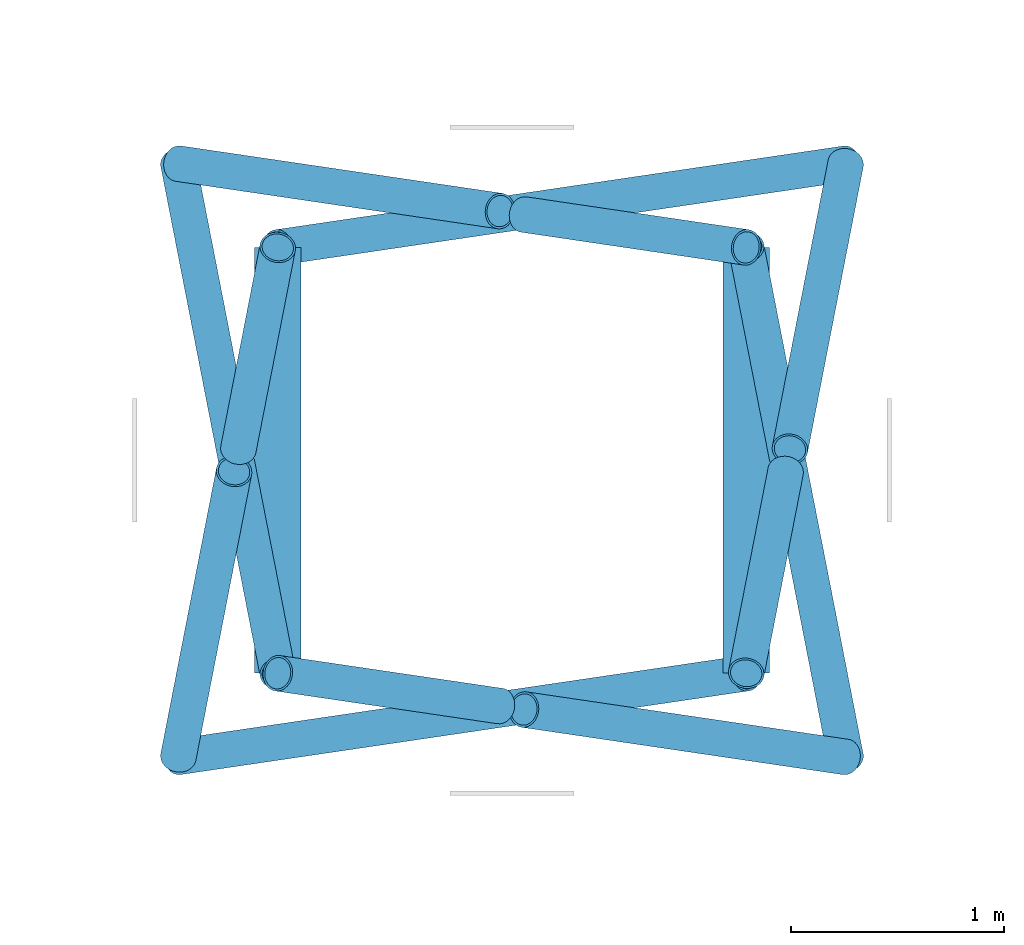
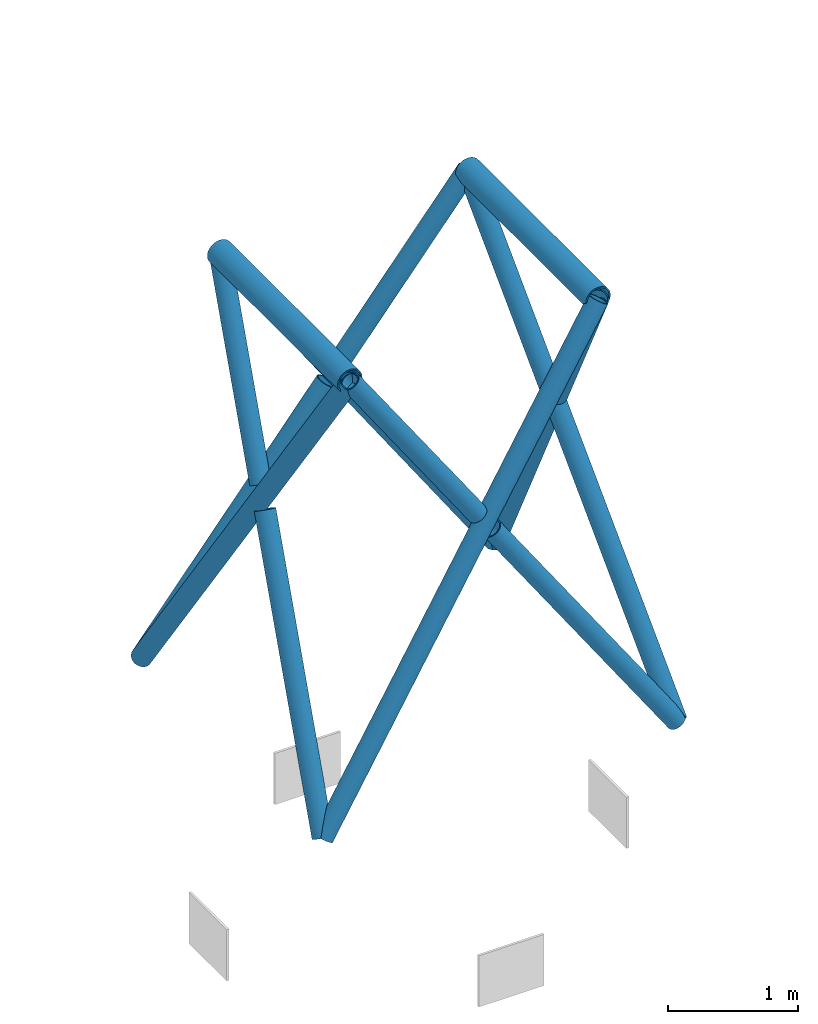
# One storey, part 38 of 143: 14 members.
"""IFC4 building model written with IfcOpenShell, lengths in metres."""

from ifc_helpers import new_model, si_unit, direction, frame, origin, origin_2d, place, context, subcontext, project, spatial, hollow_circle, extrude, material, material_profile, profile_set, type_object, element, save


model = new_model("IFC4")

# Units and contexts
model_context = context("Model", 3, precision=1e-05, world=origin(), true_north=direction((0.0, 1.0)))
body_context = subcontext(model_context, "Body", "Model", "MODEL_VIEW")
ifc_project = project(units=[si_unit("LENGTHUNIT", "METRE"), si_unit("AREAUNIT", "SQUARE_METRE"), si_unit("VOLUMEUNIT", "CUBIC_METRE"), si_unit("PLANEANGLEUNIT", "RADIAN"), si_unit("MASSUNIT", "GRAM", prefix="KILO")], contexts=[model_context])

# Site, building, storey
site_placement = place(None, origin())
site = spatial("IfcSite", under=ifc_project, at=site_placement, CompositionType="ELEMENT")
building_placement = place(site_placement, origin())
building = spatial("IfcBuilding", under=site, at=building_placement, Name="Cumevento Cable Car Station", CompositionType="ELEMENT")
storey_placement = place(building_placement, frame((0.0, 0.0, 9.0)))
storey = spatial("IfcBuildingStorey", under=building, at=storey_placement, Name="L03", CompositionType="ELEMENT", Elevation=9.0)

# Members
ifc_material_1 = material(Name="Steel ASTM A572 Grade 50", Category="steel")
ifc_material_profile_1 = material_profile(ifc_material_1, hollow_circle(Radius=0.109619140625, WallThickness=0.012451171875, at=origin_2d()), Name="CHS219.1x12.5")
ifc_profile_set_1 = profile_set([ifc_material_profile_1], Name="Steel ASTM A572 Grade 50")
member_type_1 = type_object("IfcMemberType", Name="Framing Brace TD-01 CHS219.1x12.5", PredefinedType="BRACE", material=ifc_profile_set_1)
for number, where, z_axis, x_axis, name in (
    (1, (95.10009765625, 6.199951171875, 6.800048828125), (0.0, 1.0, 0.0), (-1.0, 0.0, 0.0), "PYLON_S02 Horizontal Lattice Girt #638"),
    (2, (92.89990234375, 8.199951171875, 6.800048828125), (0.0, -1.0, 0.0), (1.0, 0.0, 0.0), "PYLON_S02 Horizontal Lattice Girt #645"),
):
    element("IfcMember", number, at=place(storey_placement, frame(where, z_axis=z_axis, x_axis=x_axis)), inside=storey, type_object=member_type_1, Name=name, PredefinedType="BRACE", context=body_context, shape_type="SweptSolid", body=[
        extrude(hollow_circle(Radius=0.109619140625, WallThickness=0.012451171875, at=origin_2d()), origin(), (0.0, 0.0, 1.0), 2.0),
    ])
ifc_material_2 = material(Name="Steel ASTM A572 Grade 50", Category="steel")
ifc_material_profile_2 = material_profile(ifc_material_2, hollow_circle(Radius=0.084228515625, WallThickness=0.010009765625, at=origin_2d()), Name="CHS168.3x10.0")
ifc_profile_set_2 = profile_set([ifc_material_profile_2], Name="Steel ASTM A572 Grade 50")
member_type_2 = type_object("IfcMemberType", Name="Framing Brace TD-02 CHS168.3x10.0", PredefinedType="BRACE", material=ifc_profile_set_2)
member_1_placement = place(storey_placement, frame((92.43310546875, 5.806884765625, 2.925048828125), z_axis=(0.564982728076, 0.083268234365, 0.820890320397), x_axis=(-0.145806852068, 0.98931307577, 0.0)))
element("IfcMember", 3, at=member_1_placement, inside=storey, type_object=member_type_2, Name="PYLON_S02 Lattice X-Brace A #635", PredefinedType="BRACE", context=body_context, shape_type="SweptSolid", body=[
    extrude(hollow_circle(Radius=0.084228515625, WallThickness=0.010009765625, at=origin_2d()), origin(), (0.0, 0.0, 1.0), 4.720458984375),
])
member_2_placement = place(storey_placement, frame((95.56689453125, 5.806884765625, 2.925048828125), z_axis=(-0.564998483899, 0.08328408232, 0.820877868397), x_axis=(-0.145830032189, -0.989309659162, 0.0)))
element("IfcMember", 4, at=member_2_placement, inside=storey, type_object=member_type_2, Name="PYLON_S02 Lattice X-Brace B Lower #636", PredefinedType="BRACE", context=body_context, shape_type="SweptSolid", body=[
    extrude(hollow_circle(Radius=0.084228515625, WallThickness=0.010009765625, at=origin_2d()), origin(), (0.0, 0.0, 1.0), 2.67333984375),
])
member_3_placement = place(storey_placement, frame((93.943603515625, 6.046142578125, 5.28369140625), z_axis=(-0.565004610958, 0.083263837404, 0.82087570495), x_axis=(-0.145793789599, -0.989315000854, 0.0)))
element("IfcMember", 5, at=member_3_placement, inside=storey, type_object=member_type_2, Name="PYLON_S02 Lattice X-Brace B Upper #637", PredefinedType="BRACE", context=body_context, shape_type="SweptSolid", body=[
    extrude(hollow_circle(Radius=0.084228515625, WallThickness=0.010009765625, at=origin_2d()), origin(), (0.0, 0.0, 1.0), 1.84716796875),
])
member_4_placement = place(storey_placement, frame((95.56689453125, 5.806884765625, 2.925048828125), z_axis=(-0.101959872691, 0.522704326421, 0.846394926439), x_axis=(-0.981501607878, -0.191453894538, 0.0)))
element("IfcMember", 6, at=member_4_placement, inside=storey, type_object=member_type_2, Name="PYLON_S02 Lattice X-Brace A #639", PredefinedType="BRACE", context=body_context, shape_type="SweptSolid", body=[
    extrude(hollow_circle(Radius=0.084228515625, WallThickness=0.010009765625, at=origin_2d()), origin(), (0.0, 0.0, 1.0), 4.578125),
])
member_5_placement = place(storey_placement, frame((95.56689453125, 8.59326171875, 2.925048828125), z_axis=(-0.101928126026, -0.522774226203, 0.846355578668), x_axis=(0.981517615419, -0.191371812509, 0.0)))
element("IfcMember", 7, at=member_5_placement, inside=storey, type_object=member_type_2, Name="PYLON_S02 Lattice X-Brace B Lower #640", PredefinedType="BRACE", context=body_context, shape_type="SweptSolid", body=[
    extrude(hollow_circle(Radius=0.084228515625, WallThickness=0.010009765625, at=origin_2d()), origin(), (0.0, 0.0, 1.0), 2.565185546875),
])
member_6_placement = place(storey_placement, frame((95.284912109375, 7.147705078125, 5.265380859375), z_axis=(-0.101928696546, -0.522704359301, 0.846398661145), x_axis=(0.981512609146, -0.191397487152, 0.0)))
element("IfcMember", 8, at=member_6_placement, inside=storey, type_object=member_type_2, Name="PYLON_S02 Lattice X-Brace B Upper #641", PredefinedType="BRACE", context=body_context, shape_type="SweptSolid", body=[
    extrude(hollow_circle(Radius=0.084228515625, WallThickness=0.010009765625, at=origin_2d()), origin(), (0.0, 0.0, 1.0), 1.813232421875),
])
member_7_placement = place(storey_placement, frame((95.56689453125, 8.59326171875, 2.925048828125), z_axis=(-0.564980294191, -0.083319594832, 0.82088678409), x_axis=(0.145895488232, -0.989300008346, 0.0)))
element("IfcMember", 9, at=member_7_placement, inside=storey, type_object=member_type_2, Name="PYLON_S02 Lattice X-Brace A #642", PredefinedType="BRACE", context=body_context, shape_type="SweptSolid", body=[
    extrude(hollow_circle(Radius=0.084228515625, WallThickness=0.010009765625, at=origin_2d()), origin(), (0.0, 0.0, 1.0), 4.720458984375),
])
member_8_placement = place(storey_placement, frame((92.43310546875, 8.59326171875, 2.925048828125), z_axis=(0.564998483899, -0.08328408232, 0.820877868397), x_axis=(0.145830032189, 0.989309659162, 0.0)))
element("IfcMember", 10, at=member_8_placement, inside=storey, type_object=member_type_2, Name="PYLON_S02 Lattice X-Brace B Lower #643", PredefinedType="BRACE", context=body_context, shape_type="SweptSolid", body=[
    extrude(hollow_circle(Radius=0.084228515625, WallThickness=0.010009765625, at=origin_2d()), origin(), (0.0, 0.0, 1.0), 2.67333984375),
])
member_9_placement = place(storey_placement, frame((94.056396484375, 8.35400390625, 5.28369140625), z_axis=(0.564998388505, -0.083395083777, 0.820866664562), x_axis=(0.146020277848, 0.989281597149, 0.0)))
element("IfcMember", 11, at=member_9_placement, inside=storey, type_object=member_type_2, Name="PYLON_S02 Lattice X-Brace B Upper #644", PredefinedType="BRACE", context=body_context, shape_type="SweptSolid", body=[
    extrude(hollow_circle(Radius=0.084228515625, WallThickness=0.010009765625, at=origin_2d()), origin(), (0.0, 0.0, 1.0), 1.84716796875),
])
member_10_placement = place(storey_placement, frame((92.43310546875, 8.59326171875, 2.925048828125), z_axis=(0.101957030647, -0.522743081294, 0.846371333908), x_axis=(0.981505277663, 0.191435080169, 0.0)))
element("IfcMember", 12, at=member_10_placement, inside=storey, type_object=member_type_2, Name="PYLON_S02 Lattice X-Brace A #646", PredefinedType="BRACE", context=body_context, shape_type="SweptSolid", body=[
    extrude(hollow_circle(Radius=0.084228515625, WallThickness=0.010009765625, at=origin_2d()), origin(), (0.0, 0.0, 1.0), 4.578369140625),
])
member_11_placement = place(storey_placement, frame((92.43310546875, 5.806884765625, 2.925048828125), z_axis=(0.101933197167, 0.522705059609, 0.846397686654), x_axis=(-0.981511069679, 0.191405381578, 0.0)))
element("IfcMember", 13, at=member_11_placement, inside=storey, type_object=member_type_2, Name="PYLON_S02 Lattice X-Brace B Lower #647", PredefinedType="BRACE", context=body_context, shape_type="SweptSolid", body=[
    extrude(hollow_circle(Radius=0.084228515625, WallThickness=0.010009765625, at=origin_2d()), origin(), (0.0, 0.0, 1.0), 2.565185546875),
])
member_12_placement = place(storey_placement, frame((92.715087890625, 7.252197265625, 5.265380859375), z_axis=(0.101928696546, 0.522704359301, 0.846398661145), x_axis=(-0.981512609146, 0.191397487152, 0.0)))
element("IfcMember", 14, at=member_12_placement, inside=storey, type_object=member_type_2, Name="PYLON_S02 Lattice X-Brace B Upper #648", PredefinedType="BRACE", context=body_context, shape_type="SweptSolid", body=[
    extrude(hollow_circle(Radius=0.084228515625, WallThickness=0.010009765625, at=origin_2d()), origin(), (0.0, 0.0, 1.0), 1.813232421875),
])

save(model, "model.ifc")
